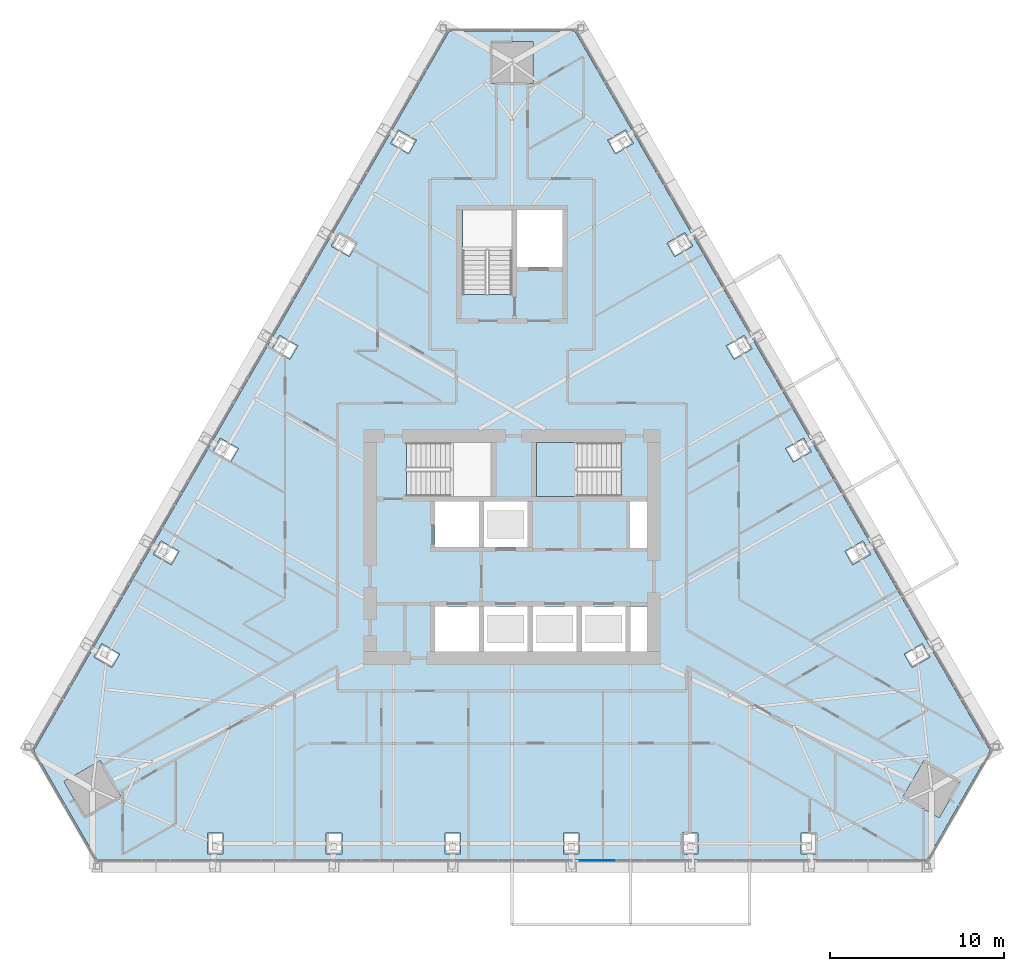
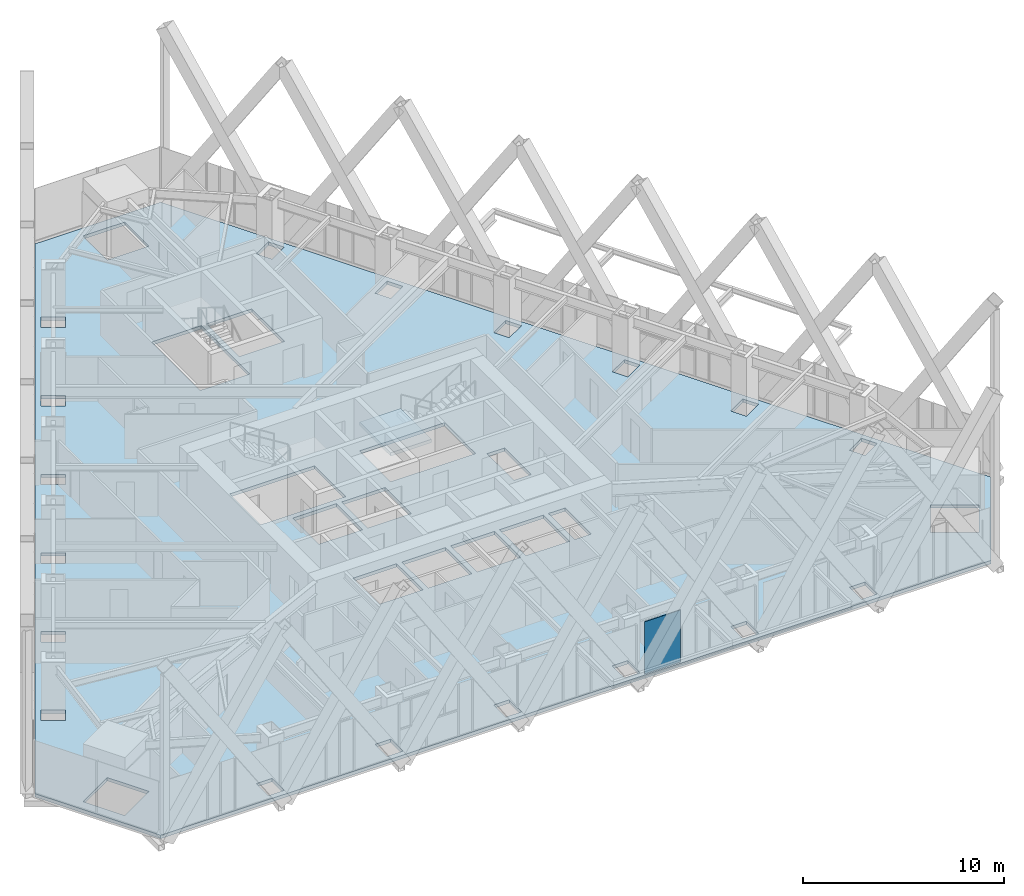
# One storey, part 15 of 24: 2 slabs, 1 plate, 2 elements without a shape of their own.
"""IFC4 building model written with IfcOpenShell, lengths in metres."""

from ifc_helpers import new_model, si_unit, direction, frame, origin, place, context, subcontext, project, spatial, polyline, outline, extrude, material, layer, layer_set, type_object, element, aggregate, save


model = new_model("IFC4")

# Units and contexts
model_context = context("Model", 3, precision=1e-05, world=origin(), true_north=direction((0.0, 1.0)))
body_context = subcontext(model_context, "Body", "Model", "MODEL_VIEW")
ifc_project = project(units=[si_unit("LENGTHUNIT", "METRE"), si_unit("AREAUNIT", "SQUARE_METRE"), si_unit("VOLUMEUNIT", "CUBIC_METRE"), si_unit("PLANEANGLEUNIT", "RADIAN"), si_unit("MASSUNIT", "GRAM", prefix="KILO")], contexts=[model_context])

# Site, building, storey
site_placement = place(None, origin())
site = spatial("IfcSite", under=ifc_project, at=site_placement, CompositionType="ELEMENT")
building_placement = place(site_placement, origin())
building = spatial("IfcBuilding", under=site, at=building_placement, Name="Firuza Gate Tower and Library", CompositionType="ELEMENT")
storey_placement = place(building_placement, frame((0.0, 0.0, 260.10009765625)))
storey = spatial("IfcBuildingStorey", under=building, at=storey_placement, Name="L61", CompositionType="ELEMENT", Elevation=260.10009765625)

# Slab
ifc_material_1 = material(Name="Concrete C40/50", Category="concrete")
ifc_layer_1 = layer(ifc_material_1, 0.199951171875)
ifc_layer_set_1 = layer_set([ifc_layer_1], Name="Composite floor slab 200 C40/50")
slab_type_1 = type_object("IfcSlabType", Name="Composite floor slab 200 C40/50", PredefinedType="FLOOR", material=ifc_layer_set_1)
slab_1_placement = place(storey_placement, frame((0.0, 0.0, -0.2001953125)))
element("IfcSlab", 1, at=slab_1_placement, inside=storey, type_object=slab_type_1, Name="Floor slab L61", PredefinedType="FLOOR", context=body_context, shape_type="SweptSolid", body=[
    extrude(outline(polyline([(47.60009765625, 63.337646484375), (51.199951171875, 57.10205078125), (98.800048828125, 57.10205078125), (102.39990234375, 63.337646484375), (78.60009765625, 104.560302734375), (71.39990234375, 104.560302734375), (47.60009765625, 63.337646484375)]), holes=[polyline([(57.550048828125, 57.402099609375), (57.550048828125, 58.60205078125), (58.449951171875, 58.60205078125), (58.449951171875, 57.402099609375), (57.550048828125, 57.402099609375)]), polyline([(64.35009765625, 57.402099609375), (64.35009765625, 58.60205078125), (65.25, 58.60205078125), (65.25, 57.402099609375), (64.35009765625, 57.402099609375)]), polyline([(71.14990234375, 57.402099609375), (71.14990234375, 58.60205078125), (72.050048828125, 58.60205078125), (72.050048828125, 57.402099609375), (71.14990234375, 57.402099609375)]), polyline([(49.319580078125, 61.55908203125), (51.398193359375, 62.759033203125), (52.59814453125, 60.6806640625), (50.51953125, 59.480712890625), (49.319580078125, 61.55908203125)]), polyline([(51.48486328125, 69.46630859375), (52.52392578125, 68.8662109375), (52.073974609375, 68.086669921875), (51.034912109375, 68.686767578125), (51.48486328125, 69.46630859375)]), polyline([(73.10009765625, 69.0), (70.60009765625, 69.0), (70.60009765625, 71.60009765625), (73.10009765625, 71.60009765625), (73.10009765625, 69.0)]), polyline([(75.89990234375, 69.0), (73.39990234375, 69.0), (73.39990234375, 71.60009765625), (75.89990234375, 71.60009765625), (75.89990234375, 69.0)]), polyline([(54.884765625, 75.355224609375), (55.924072265625, 74.755126953125), (55.47412109375, 73.975830078125), (54.434814453125, 74.57568359375), (54.884765625, 75.355224609375)]), polyline([(73.10009765625, 75.0), (70.60009765625, 75.0), (70.60009765625, 77.60009765625), (73.10009765625, 77.60009765625), (73.10009765625, 75.0)]), polyline([(75.89990234375, 75.0), (73.39990234375, 75.0), (73.39990234375, 77.60009765625), (75.89990234375, 77.60009765625), (75.89990234375, 75.0)]), polyline([(68.9404296875, 77.89990234375), (68.9404296875, 80.97998046875), (73.81005859375, 80.97998046875), (73.81005859375, 77.89990234375), (68.9404296875, 77.89990234375)]), polyline([(58.284912109375, 81.244140625), (59.323974609375, 80.64404296875), (58.8740234375, 79.86474609375), (57.834716796875, 80.46484375), (58.284912109375, 81.244140625)]), polyline([(61.684814453125, 87.133056640625), (62.72412109375, 86.533203125), (62.27392578125, 85.753662109375), (61.23486328125, 86.353759765625), (61.684814453125, 87.133056640625)]), polyline([(72.159912109375, 89.470458984375), (72.159912109375, 94.300048828125), (75.0, 94.300048828125), (75.0, 89.470458984375), (72.159912109375, 89.470458984375)]), polyline([(65.084716796875, 93.022216796875), (66.1240234375, 92.422119140625), (65.674072265625, 91.642578125), (64.634765625, 92.24267578125), (65.084716796875, 93.022216796875)]), polyline([(68.48486328125, 98.9111328125), (69.52392578125, 98.31103515625), (69.073974609375, 97.53173828125), (68.034912109375, 98.131591796875), (68.48486328125, 98.9111328125)]), polyline([(76.199951171875, 103.96044921875), (76.199951171875, 101.560302734375), (73.800048828125, 101.560302734375), (73.800048828125, 103.96044921875), (76.199951171875, 103.96044921875)]), polyline([(77.949951171875, 57.402099609375), (77.949951171875, 58.60205078125), (78.85009765625, 58.60205078125), (78.85009765625, 57.402099609375), (77.949951171875, 57.402099609375)]), polyline([(84.75, 57.402099609375), (84.75, 58.60205078125), (85.64990234375, 58.60205078125), (85.64990234375, 57.402099609375), (84.75, 57.402099609375)]), polyline([(91.550048828125, 57.402099609375), (91.550048828125, 58.60205078125), (92.449951171875, 58.60205078125), (92.449951171875, 57.402099609375), (91.550048828125, 57.402099609375)]), polyline([(99.48046875, 59.480712890625), (97.40185546875, 60.6806640625), (98.601806640625, 62.759033203125), (100.680419921875, 61.55908203125), (99.48046875, 59.480712890625)]), polyline([(98.965087890625, 68.686767578125), (97.926025390625, 68.086669921875), (97.47607421875, 68.8662109375), (98.51513671875, 69.46630859375), (98.965087890625, 68.686767578125)]), polyline([(78.699951171875, 69.0), (76.199951171875, 69.0), (76.199951171875, 71.60009765625), (78.699951171875, 71.60009765625), (78.699951171875, 69.0)]), polyline([(81.5, 69.0), (79.0, 69.0), (79.0, 71.60009765625), (81.5, 71.60009765625), (81.5, 69.0)]), polyline([(82.75, 69.0), (81.800048828125, 69.0), (81.800048828125, 71.60009765625), (82.75, 71.60009765625), (82.75, 69.0)]), polyline([(95.565185546875, 74.57568359375), (94.52587890625, 73.975830078125), (94.075927734375, 74.755126953125), (95.115234375, 75.355224609375), (95.565185546875, 74.57568359375)]), polyline([(82.75, 74.949951171875), (81.75, 74.949951171875), (81.75, 77.60009765625), (82.75, 77.60009765625), (82.75, 74.949951171875)]), polyline([(81.259521484375, 80.97998046875), (81.259521484375, 77.89990234375), (76.389892578125, 77.89990234375), (76.389892578125, 80.97998046875), (81.259521484375, 80.97998046875)]), polyline([(92.165283203125, 80.46484375), (91.1259765625, 79.86474609375), (90.676025390625, 80.64404296875), (91.715087890625, 81.244140625), (92.165283203125, 80.46484375)]), polyline([(88.76513671875, 86.353759765625), (87.72607421875, 85.753662109375), (87.27587890625, 86.533203125), (88.315185546875, 87.133056640625), (88.76513671875, 86.353759765625)]), polyline([(85.365234375, 92.24267578125), (84.325927734375, 91.642578125), (83.8759765625, 92.422119140625), (84.915283203125, 93.022216796875), (85.365234375, 92.24267578125)]), polyline([(75.300048828125, 91.050048828125), (75.300048828125, 94.300048828125), (77.89990234375, 94.300048828125), (77.89990234375, 91.050048828125), (75.300048828125, 91.050048828125)]), polyline([(80.926025390625, 97.53173828125), (80.47607421875, 98.31103515625), (81.51513671875, 98.9111328125), (81.965087890625, 98.131591796875), (80.926025390625, 97.53173828125)])]), origin(), (0.0, 0.0, 1.0), 0.2001953125),
])

# Curtain wall, plate
ifc_material_2 = material(Name="Aluminium 6063-T6", Category="aluminium")
ifc_layer_2 = layer(ifc_material_2, 0.14990234375)
ifc_layer_set_2 = layer_set([ifc_layer_2], Name="Unitised curtain wall, residences")
curtain_wall_type = type_object("IfcCurtainWallType", Name="Unitised curtain wall, residences", PredefinedType="NOTDEFINED", material=ifc_layer_set_2)
placement = place(storey_placement, origin())
curtain_wall = element("IfcCurtainWall", 2, at=placement, inside=storey, type_object=curtain_wall_type, Name="CW3 L61 S face", PredefinedType="NOTDEFINED")
ifc_material_3 = material(Name="Glazed ceramic tile")
ifc_layer_3 = layer(ifc_material_3, 0.030029296875)
ifc_layer_set_3 = layer_set([ifc_layer_3], Name="Opaque ceramic panel, residences")
plate_type = type_object("IfcPlateType", Name="Opaque ceramic panel, residences", PredefinedType="CURTAIN_PANEL", material=ifc_layer_set_3)
plate_placement = place(storey_placement, frame((78.886962890625, 57.01220703125, 0.14990234375), z_axis=(0.0, -1.0, 0.0), x_axis=(1.0, 0.0, 0.0)))
plate = element("IfcPlate", 3, at=plate_placement, type_object=plate_type, Name="Opaque ceramic panel", PredefinedType="CURTAIN_PANEL", context=body_context, shape_type="SweptSolid", body=[
    extrude(outline(polyline([(0.0, 0.0), (2.072265625, 0.0), (2.072265625, 3.14990234375), (0.0, 3.14990234375), (0.0, 0.0)])), origin(), (0.0, 0.0, -1.0), 0.030029296875),
])
aggregate(curtain_wall, [plate])

# Stair, slab
ifc_material_4 = material(Name="Concrete C35/45", Category="concrete")
stair_type = type_object("IfcStairType", Name="Exit stair ST8", PredefinedType="HALF_TURN_STAIR", material=ifc_material_4)
stair = element("IfcStair", 4, at=placement, inside=storey, type_object=stair_type, Name="L61 Stair ST2", PredefinedType="HALF_TURN_STAIR")
ifc_material_5 = material(Name="Concrete C35/45", Category="concrete")
ifc_layer_4 = layer(ifc_material_5, 0.199951171875)
ifc_layer_set_4 = layer_set([ifc_layer_4], Name="Stair landing 200")
slab_type_2 = type_object("IfcSlabType", Name="Stair landing 200", PredefinedType="LANDING", material=ifc_layer_set_4)
slab_2_placement = place(storey_placement, frame((0.0, 0.0, 1.5498046875)))
slab_2 = element("IfcSlab", 5, at=slab_2_placement, type_object=slab_type_2, Name="ST2 landing 1", PredefinedType="LANDING", context=body_context, shape_type="SweptSolid", body=[
    extrude(outline(polyline([(78.739990234375, 80.97998046875), (76.389892578125, 80.97998046875), (76.389892578125, 77.89990234375), (78.739990234375, 77.89990234375), (78.739990234375, 80.97998046875)])), origin(), (0.0, 0.0, 1.0), 0.2001953125),
])
aggregate(stair, [slab_2])

save(model, "model.ifc")
